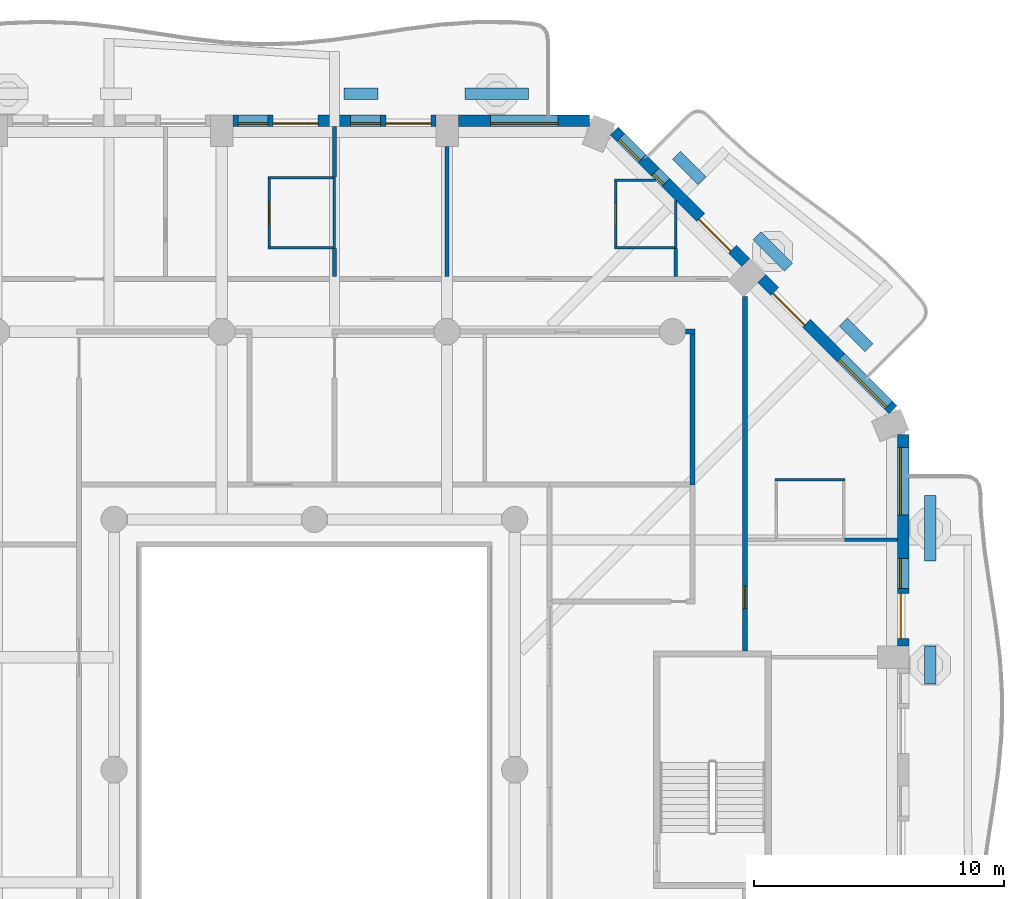
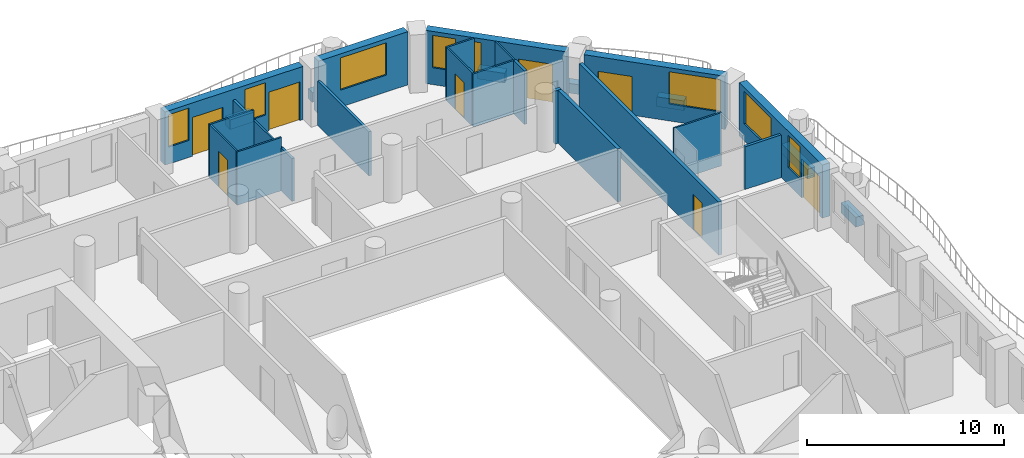
# One storey, part 9 of 19: 29 walls, 8 doors, 8 windows, 16 openings.
"""IFC4 building model written with IfcOpenShell, lengths in metres."""

import ifcopenshell
import ifcopenshell.guid

model = None  # the IFC model being written
_history = None  # IfcOwnerHistory: only IFC2X3 demands one
_inside = {}  # id of a spatial element -> (the spatial element, [elements in it])
_under = {}  # id of a project, library or spatial element -> (it, [spatial elements below it])
_declared = {}  # id of a project -> (the project, [libraries it declares])
_typed = {}  # id of a type object -> (the type object, [elements of that type])
_made_of = {}  # id of a material, layer set ... -> (it, [elements and type objects made of it])


def new_model(schema):
    """Start an empty IFC model of exactly this schema.

    Asked for "IFC4X3", IfcOpenShell would pick the latest addendum, in which some entities
    have other attributes; the version numbers below select the first issue.
    IFC2X3 requires an IfcOwnerHistory on every rooted entity: one is made here for all.
    """
    global model, _history
    if schema == "IFC4X3":
        model = ifcopenshell.file(schema_version=(4, 3, 0, 0))
    else:
        model = ifcopenshell.file(schema=schema)
    _inside.clear()
    _under.clear()
    _declared.clear()
    _typed.clear()
    _made_of.clear()
    _history = None
    if model.schema == "IFC2X3":
        org = make("IfcOrganization", Name="unknown")
        user = make(
            "IfcPersonAndOrganization",
            ThePerson=make("IfcPerson", FamilyName="unknown"),
            TheOrganization=org,
        )
        app = make(
            "IfcApplication",
            ApplicationDeveloper=org,
            Version="unknown",
            ApplicationFullName="unknown",
            ApplicationIdentifier="unknown",
        )
        _history = make(
            "IfcOwnerHistory",
            OwningUser=user,
            OwningApplication=app,
            ChangeAction="ADDED",
            CreationDate=0,
        )
    return model


def make(cls, **values):
    """One entity of the class cls with the attributes given. An attribute that is None is left unset."""
    return model.create_entity(
        cls, **{name: value for name, value in values.items() if value is not None}
    )


def rooted(cls, **values):
    """An entity with a GlobalId (a new one), such as an element, a storey or a relation."""
    return make(cls, GlobalId=ifcopenshell.guid.new(), OwnerHistory=_history, **values)


def si_unit(unit_type, name, prefix=None):
    """IfcSIUnit, for example si_unit("LENGTHUNIT", "METRE", prefix="MILLI")."""
    return make("IfcSIUnit", UnitType=unit_type, Prefix=prefix, Name=name)


def assignment(units):
    """IfcUnitAssignment: the units of a project."""
    return None if units is None else make("IfcUnitAssignment", Units=units)


def point(xyz):
    """IfcCartesianPoint."""
    return None if xyz is None else make("IfcCartesianPoint", Coordinates=xyz)


def direction(xyz):
    """IfcDirection."""
    return None if xyz is None else make("IfcDirection", DirectionRatios=xyz)


def frame(location, z_axis=None, x_axis=None):
    """IfcAxis2Placement3D, a coordinate frame: its origin and axes. An axis left out is left unset."""
    return make(
        "IfcAxis2Placement3D",
        Location=point(location),
        Axis=direction(z_axis),
        RefDirection=direction(x_axis),
    )


def frame_2d(location, x_axis=None):
    """IfcAxis2Placement2D, a coordinate frame in the plane: its origin and x axis."""
    return make(
        "IfcAxis2Placement2D", Location=point(location), RefDirection=direction(x_axis)
    )


def origin():
    """The frame at (0, 0, 0) with its axes left unset."""
    return frame((0.0, 0.0, 0.0))


def place(relative_to, where):
    """IfcLocalPlacement: puts the frame where relative to a parent placement (None: the world)."""
    return make(
        "IfcLocalPlacement", PlacementRelTo=relative_to, RelativePlacement=where
    )


def context(
    kind, dimensions, precision=None, world=None, true_north=None, identifier=None
):
    """IfcGeometricRepresentationContext, for example the 3D "Model" context."""
    return make(
        "IfcGeometricRepresentationContext",
        ContextIdentifier=identifier,
        ContextType=kind,
        CoordinateSpaceDimension=dimensions,
        Precision=precision,
        WorldCoordinateSystem=world,
        TrueNorth=true_north,
    )


def subcontext(parent, identifier, kind, view, scale=None):
    """IfcGeometricRepresentationSubContext, for example "Body" below "Model"."""
    return make(
        "IfcGeometricRepresentationSubContext",
        ContextIdentifier=identifier,
        ContextType=kind,
        ParentContext=parent,
        TargetScale=scale,
        TargetView=view,
    )


def project(units=None, contexts=None):
    """IfcProject with its units and contexts."""
    return rooted(
        "IfcProject",
        Name="project",
        RepresentationContexts=contexts,
        UnitsInContext=assignment(units),
    )


def spatial(cls, under=None, at=None, **own):
    """A site, building, storey or space (cls), placed at a placement, below another one or the project."""
    s = rooted(cls, ObjectPlacement=at, **own)
    if under is not None:
        _under.setdefault(under.id(), (under, []))[1].append(s)
    return s


def profile(cls, at=None, kind="AREA", **sizes):
    """A parametric profile (cls). Its sizes go by their IFC names, for example OverallWidth=200.0."""
    return make(cls, ProfileType=kind, Position=at, **sizes)


def rectangle(**sizes):
    """IfcRectangleProfileDef."""
    return profile("IfcRectangleProfileDef", **sizes)


def extrude(swept, where, along, depth):
    """IfcExtrudedAreaSolid: the profile swept, set in the frame where, extruded along a direction by depth."""
    return make(
        "IfcExtrudedAreaSolid",
        SweptArea=swept,
        Position=where,
        ExtrudedDirection=direction(along),
        Depth=depth,
    )


def shape(context_of_items, identifier, shape_type, items):
    """IfcShapeRepresentation: the items that make up one representation, for example the "Body"."""
    return make(
        "IfcShapeRepresentation",
        ContextOfItems=context_of_items,
        RepresentationIdentifier=identifier,
        RepresentationType=shape_type,
        Items=items,
    )


def material(Name=None, Category=None):
    """IfcMaterial."""
    return make("IfcMaterial", Name=Name, Category=Category)


def layer(
    of_material, thickness, ventilated=None, Name=None, Category=None, Priority=None
):
    """IfcMaterialLayer: one layer of a wall or slab, of a material (None: an air gap)."""
    return make(
        "IfcMaterialLayer",
        Material=of_material,
        LayerThickness=thickness,
        IsVentilated=ventilated,
        Name=Name,
        Category=Category,
        Priority=Priority,
    )


def layer_set(layers, Name=None):
    """IfcMaterialLayerSet."""
    return make("IfcMaterialLayerSet", MaterialLayers=layers, LayerSetName=Name)


def made_of(thing, what):
    """Note that an element or type object is made of a material, layer set ...; save() writes the relation."""
    if what is not None:
        _made_of.setdefault(what.id(), (what, []))[1].append(thing)
    return thing


def type_object(cls, material=None, **own):
    """A type object (cls), such as IfcWallType, which elements share."""
    return made_of(rooted(cls, **own), material)


def element(
    cls,
    number,
    at=None,
    inside=None,
    cuts=None,
    type_object=None,
    material=None,
    context=None,
    identifier="Body",
    shape_type=None,
    held_by="IfcProductDefinitionShape",
    body=None,
    shapes=None,
    **own,
):
    """One element of the class cls, such as IfcWall. Its Tag is "e" and its number.

    at: its placement. inside: the storey or other place that contains it. cuts: it is an
    opening in that element (IfcRelVoidsElement). A single representation is given by context,
    identifier, shape_type and body (its items); several are given by shapes. held_by: the class
    of the entity that holds the representations. save() writes the other relations.
    """
    e = rooted(cls, Tag="e%d" % number, ObjectPlacement=at, **own)
    if body is not None:
        shapes = [shape(context, identifier, shape_type, body)]
    if shapes is not None:
        e.Representation = make(held_by, Representations=shapes)
    if inside is not None:
        _inside.setdefault(inside.id(), (inside, []))[1].append(e)
    if cuts is not None:
        rooted(
            "IfcRelVoidsElement", RelatingBuildingElement=cuts, RelatedOpeningElement=e
        )
    if type_object is not None:
        _typed.setdefault(type_object.id(), (type_object, []))[1].append(e)
    return made_of(e, material)


def fill(opening, filler):
    """IfcRelFillsElement: the door or window that sits in an opening."""
    return rooted(
        "IfcRelFillsElement",
        RelatingOpeningElement=opening,
        RelatedBuildingElement=filler,
    )


def aggregate(whole, parts):
    """IfcRelAggregates: a whole, such as a stair, and the parts it consists of."""
    return rooted("IfcRelAggregates", RelatingObject=whole, RelatedObjects=parts)


def save(model, path):
    """Write the relations noted so far, then the file.

    IfcRelAggregates (storeys below a building ...), IfcRelContainedInSpatialStructure (elements
    in a storey), IfcRelDefinesByType, IfcRelAssociatesMaterial and IfcRelDeclares: one each for
    every whole, place, type object, material and project.
    """
    for whole, parts in _under.values():
        aggregate(whole, parts)
    for where, things in _inside.values():
        rooted(
            "IfcRelContainedInSpatialStructure",
            RelatedElements=things,
            RelatingStructure=where,
        )
    for kind, things in _typed.values():
        rooted("IfcRelDefinesByType", RelatedObjects=things, RelatingType=kind)
    for what, things in _made_of.values():
        rooted("IfcRelAssociatesMaterial", RelatedObjects=things, RelatingMaterial=what)
    for by, libraries in _declared.values():
        rooted("IfcRelDeclares", RelatingContext=by, RelatedDefinitions=libraries)
    model.write(path)


model = new_model("IFC4")

# Units and contexts
model_context = context("Model", 3, precision=1e-05, world=origin(), true_north=direction((0.0, 1.0)))
body_context = subcontext(model_context, "Body", "Model", "MODEL_VIEW")
ifc_project = project(units=[si_unit("LENGTHUNIT", "METRE"), si_unit("AREAUNIT", "SQUARE_METRE"), si_unit("VOLUMEUNIT", "CUBIC_METRE"), si_unit("PLANEANGLEUNIT", "RADIAN"), si_unit("MASSUNIT", "GRAM", prefix="KILO")], contexts=[model_context])

# Site, building, storey
site_placement = place(None, origin())
site = spatial("IfcSite", under=ifc_project, at=site_placement, CompositionType="ELEMENT")
building_placement = place(site_placement, origin())
building = spatial("IfcBuilding", under=site, at=building_placement, Name="Cypress Arch Tower", CompositionType="ELEMENT")
storey_placement = place(building_placement, frame((0.0, 0.0, 138.300048828125)))
storey = spatial("IfcBuildingStorey", under=building, at=storey_placement, Name="L30", CompositionType="ELEMENT", Elevation=138.300048828125)

# Walls
ifc_material_1 = material(Name="Concrete C40/50, waterproofed", Category="concrete")
ifc_layer_1 = layer(ifc_material_1, 0.449951171875)
ifc_layer_set_1 = layer_set([ifc_layer_1], Name="Balcony planter wall PW450")
wall_type_1 = type_object("IfcWallType", Name="Balcony planter wall PW450", PredefinedType="SOLIDWALL", material=ifc_layer_set_1)
wall_1_placement = place(storey_placement, frame((25.60009765625, 3.42138671875, 0.0), z_axis=(0.0, 0.0, 1.0), x_axis=(0.0, 1.0, 0.0)))
element("IfcWall", 1, at=wall_1_placement, inside=storey, type_object=wall_type_1, Name="Balcony planter wall L30-A06.3", PredefinedType="SOLIDWALL", context=body_context, shape_type="SweptSolid", body=[
    extrude(rectangle(XDim=1.5224609375, YDim=0.449951171875, at=frame_2d((0.76123046875, 0.0))), origin(), (0.0, 0.0, 1.0), 0.599853515625),
])
wall_2_placement = place(storey_placement, frame((25.60009765625, 8.335693359375, 0.0), z_axis=(0.0, 0.0, 1.0), x_axis=(0.0, 1.0, 0.0)))
element("IfcWall", 2, at=wall_2_placement, inside=storey, type_object=wall_type_1, Name="Balcony planter wall L30-A06.4", PredefinedType="SOLIDWALL", context=body_context, shape_type="SweptSolid", body=[
    extrude(rectangle(XDim=2.6142578125, YDim=0.449951171875, at=frame_2d((1.30712890625, 0.0))), origin(), (0.0, 0.0, 1.0), 0.599853515625),
])
wall_3_placement = place(storey_placement, frame((23.150390625, 16.86376953125, 0.0), z_axis=(0.0, 0.0, 1.0), x_axis=(-0.707106781187, 0.707106781187, 0.0)))
element("IfcWall", 3, at=wall_3_placement, inside=storey, type_object=wall_type_1, Name="Balcony planter wall L30-A07.1", PredefinedType="SOLIDWALL", context=body_context, shape_type="SweptSolid", body=[
    extrude(rectangle(XDim=1.44482421875, YDim=0.449951171875, at=frame_2d((0.722412109375, 0.0))), origin(), (0.0, 0.0, 1.0), 0.599853515625),
])
wall_4_placement = place(storey_placement, frame((19.9365234375, 20.07763671875, 0.0), z_axis=(0.0, 0.0, 1.0), x_axis=(-0.707106781187, 0.707106781187, 0.0)))
element("IfcWall", 4, at=wall_4_placement, inside=storey, type_object=wall_type_1, Name="Balcony planter wall L30-A07.2", PredefinedType="SOLIDWALL", context=body_context, shape_type="SweptSolid", body=[
    extrude(rectangle(XDim=1.780517578125, YDim=0.449951171875, at=frame_2d((0.89013671875, 0.0))), origin(), (0.0, 0.0, 1.0), 0.599853515625),
])
wall_5_placement = place(storey_placement, frame((16.485595703125, 23.528564453125, 0.0), z_axis=(0.0, 0.0, 1.0), x_axis=(-0.707022305137, 0.707191247145, 0.0)))
element("IfcWall", 5, at=wall_5_placement, inside=storey, type_object=wall_type_1, Name="Balcony planter wall L30-A07.3", PredefinedType="SOLIDWALL", context=body_context, shape_type="SweptSolid", body=[
    extrude(rectangle(XDim=1.445068359375, YDim=0.449951171875, at=frame_2d((0.72265625, 0.0))), origin(), (0.0, 0.0, 1.0), 0.599853515625),
])
wall_6_placement = place(storey_placement, frame((9.550048828125, 27.0, 0.0), z_axis=(0.0, 0.0, 1.0), x_axis=(-1.0, 0.0, 0.0)))
element("IfcWall", 6, at=wall_6_placement, inside=storey, type_object=wall_type_1, Name="Balcony planter wall L30-A08.1", PredefinedType="SOLIDWALL", context=body_context, shape_type="SweptSolid", body=[
    extrude(rectangle(XDim=2.53759765625, YDim=0.449951171875, at=frame_2d((1.268798828125, 0.0))), origin(), (0.0, 0.0, 1.0), 0.599853515625),
])
wall_7_placement = place(storey_placement, frame((3.550048828125, 27.0, 0.0), z_axis=(0.0, 0.0, 1.0), x_axis=(-1.0, 0.0, 0.0)))
element("IfcWall", 7, at=wall_7_placement, inside=storey, type_object=wall_type_1, Name="Balcony planter wall L30-A08.2", PredefinedType="SOLIDWALL", context=body_context, shape_type="SweptSolid", body=[
    extrude(rectangle(XDim=1.375, YDim=0.449951171875, at=frame_2d((0.6875, 0.0))), origin(), (0.0, 0.0, 1.0), 0.599853515625),
])

# Wall, openings, door, windows
ifc_material_2 = material(Name="Brick (red buff blend)", Category="masonry")
ifc_layer_2 = layer(ifc_material_2, 0.449951171875)
ifc_layer_set_2 = layer_set([ifc_layer_2], Name="Brick pier and spandrel wall BW450")
wall_type_2 = type_object("IfcWallType", Name="Brick pier and spandrel wall BW450", PredefinedType="SOLIDWALL", material=ifc_layer_set_2)
wall_8_placement = place(storey_placement, frame((24.52490234375, 4.949951171875, 0.0), z_axis=(0.0, 0.0, 1.0), x_axis=(0.0, 1.0, 0.0)))
wall_8 = element("IfcWall", 8, at=wall_8_placement, inside=storey, type_object=wall_type_2, Name="Brick wall L30 A06.3", PredefinedType="SOLIDWALL", context=body_context, shape_type="SweptSolid", body=[
    extrude(rectangle(XDim=8.438720703125, YDim=0.449951171875, at=frame_2d((4.21923828125, 0.0))), origin(), (0.0, 0.0, 1.0), 3.300048828125),
])
opening_1_placement = place(wall_8_placement, frame((0.2939453125, 0.0, 0.0)))
opening_1 = element("IfcOpeningElement", 9, at=opening_1_placement, cuts=wall_8, Name="Opening D-L30-A06.3.1", PredefinedType="OPENING", context=body_context, shape_type="SweptSolid", body=[
    extrude(rectangle(XDim=1.800048828125, YDim=2.39990234375, at=frame_2d((0.89990234375, 1.199951171875))), frame((0.0, 0.23486328125, 0.0), z_axis=(0.0, -1.0, 0.0), x_axis=(1.0, 0.0, 0.0)), (0.0, 0.0, 1.0), 0.469970703125),
])
opening_2_placement = place(wall_8_placement, frame((2.2939453125, 0.0, 1.050048828125)))
opening_2 = element("IfcOpeningElement", 10, at=opening_2_placement, cuts=wall_8, Name="Opening W120HD", PredefinedType="OPENING", context=body_context, shape_type="SweptSolid", body=[
    extrude(rectangle(XDim=1.199951171875, YDim=2.0, at=frame_2d((0.60009765625, 1.0))), frame((0.0, 0.23486328125, 0.0), z_axis=(0.0, -1.0, 0.0), x_axis=(1.0, 0.0, 0.0)), (0.0, 0.0, 1.0), 0.469970703125),
])
opening_3_placement = place(wall_8_placement, frame((5.231689453125, 0.0, 1.050048828125)))
opening_3 = element("IfcOpeningElement", 11, at=opening_3_placement, cuts=wall_8, Name="Opening W270HD", PredefinedType="OPENING", context=body_context, shape_type="SweptSolid", body=[
    extrude(rectangle(XDim=2.699951171875, YDim=2.0, at=frame_2d((1.35009765625, 1.0))), frame((0.0, 0.23486328125, 0.0), z_axis=(0.0, -1.0, 0.0), x_axis=(1.0, 0.0, 0.0)), (0.0, 0.0, 1.0), 0.469970703125),
])
ifc_material_3 = material(Name="Anodised aluminium, bronze finish, laminated low-emissivity double glazing, large-missile impact rated", Category="aluminium")
door_type_1 = type_object("IfcDoorType", Name="Balcony sliding door 1800x2400", OperationType="SLIDING_TO_LEFT", PredefinedType="DOOR", material=ifc_material_3)
door_1_placement = place(opening_1_placement, origin())
door_1 = element("IfcDoor", 12, at=door_1_placement, inside=storey, type_object=door_type_1, Name="Balcony door L30 A06.3.1", OperationType="SLIDING_TO_LEFT", OverallHeight=2.39990234375, OverallWidth=1.800048828125, PredefinedType="DOOR", context=body_context, shape_type="SweptSolid", body=[
    extrude(rectangle(XDim=1.800048828125, YDim=2.39990234375, at=frame_2d((0.89990234375, 1.199951171875))), frame((0.0, 0.1298828125, 0.0), z_axis=(0.0, -1.0, 0.0), x_axis=(1.0, 0.0, 0.0)), (0.0, 0.0, 1.0), 0.050048828125),
])
fill(opening_1, door_1)
ifc_material_4 = material(Name="Anodised aluminium, bronze finish, laminated low-emissivity double glazing, large-missile impact rated", Category="aluminium")
window_type_1 = type_object("IfcWindowType", Name="Window Hotel 1200x2000 debris-rated", PartitioningType="SINGLE_PANEL", PredefinedType="WINDOW", material=ifc_material_4)
window_1_placement = place(opening_2_placement, origin())
window_1 = element("IfcWindow", 13, at=window_1_placement, inside=storey, type_object=window_type_1, Name="Window L30 A06.3.1", OverallHeight=2.0, OverallWidth=1.199951171875, PartitioningType="SINGLE_PANEL", PredefinedType="WINDOW", context=body_context, shape_type="SweptSolid", body=[
    extrude(rectangle(XDim=1.199951171875, YDim=2.0, at=frame_2d((0.60009765625, 1.0))), frame((0.0, 0.135009765625, 0.0), z_axis=(0.0, -1.0, 0.0), x_axis=(1.0, 0.0, 0.0)), (0.0, 0.0, 1.0), 0.06005859375),
])
fill(opening_2, window_1)
ifc_material_5 = material(Name="Anodised aluminium, bronze finish, laminated low-emissivity double glazing, large-missile impact rated", Category="aluminium")
window_type_2 = type_object("IfcWindowType", Name="Window Hotel 2700x2000 debris-rated", PartitioningType="SINGLE_PANEL", PredefinedType="WINDOW", material=ifc_material_5)
window_2_placement = place(opening_3_placement, origin())
window_2 = element("IfcWindow", 14, at=window_2_placement, inside=storey, type_object=window_type_2, Name="Window L30 A06.3.2", OverallHeight=2.0, OverallWidth=2.699951171875, PartitioningType="SINGLE_PANEL", PredefinedType="WINDOW", context=body_context, shape_type="SweptSolid", body=[
    extrude(rectangle(XDim=2.699951171875, YDim=2.0, at=frame_2d((1.35009765625, 1.0))), frame((0.0, 0.135009765625, 0.0), z_axis=(0.0, -1.0, 0.0), x_axis=(1.0, 0.0, 0.0)), (0.0, 0.0, 1.0), 0.06005859375),
])
fill(opening_3, window_2)

# Wall, openings, door, window
wall_9_placement = place(storey_placement, frame((24.11474609375, 14.379150390625, 0.0), z_axis=(0.0, 0.0, 1.0), x_axis=(-0.707106781187, 0.707106781187, 0.0)))
wall_9 = element("IfcWall", 15, at=wall_9_placement, inside=storey, type_object=wall_type_2, Name="Brick wall L30 A07.0", PredefinedType="SOLIDWALL", context=body_context, shape_type="SweptSolid", body=[
    extrude(rectangle(XDim=7.423828125, YDim=0.449951171875, at=frame_2d((3.7119140625, 0.0))), origin(), (0.0, 0.0, 1.0), 3.300048828125),
])
opening_4_placement = place(wall_9_placement, frame((0.253173828125, 0.0, 1.050048828125)))
opening_4 = element("IfcOpeningElement", 16, at=opening_4_placement, cuts=wall_9, Name="Opening W270HD", PredefinedType="OPENING", context=body_context, shape_type="SweptSolid", body=[
    extrude(rectangle(XDim=2.699951171875, YDim=2.0, at=frame_2d((1.35009765625, 1.0))), frame((0.0, 0.23486328125, 0.0), z_axis=(0.0, -1.0, 0.0), x_axis=(1.0, 0.0, 0.0)), (0.0, 0.0, 1.0), 0.469970703125),
])
opening_5_placement = place(wall_9_placement, frame((4.8837890625, 0.0, 0.0)))
opening_5 = element("IfcOpeningElement", 17, at=opening_5_placement, cuts=wall_9, Name="Opening D-L30-A07.0.2", PredefinedType="OPENING", context=body_context, shape_type="SweptSolid", body=[
    extrude(rectangle(XDim=1.800048828125, YDim=2.39990234375, at=frame_2d((0.89990234375, 1.199951171875))), frame((0.0, 0.23486328125, 0.0), z_axis=(0.0, -1.0, 0.0), x_axis=(1.0, 0.0, 0.0)), (0.0, 0.0, 1.0), 0.469970703125),
])
door_2_placement = place(opening_5_placement, origin())
door_2 = element("IfcDoor", 18, at=door_2_placement, inside=storey, type_object=door_type_1, Name="Balcony door L30 A07.0.2", OperationType="SLIDING_TO_LEFT", OverallHeight=2.39990234375, OverallWidth=1.800048828125, PredefinedType="DOOR", context=body_context, shape_type="SweptSolid", body=[
    extrude(rectangle(XDim=1.800048828125, YDim=2.39990234375, at=frame_2d((0.89990234375, 1.199951171875))), frame((0.0, 0.1298828125, 0.0), z_axis=(0.0, -1.0, 0.0), x_axis=(1.0, 0.0, 0.0)), (0.0, 0.0, 1.0), 0.050048828125),
])
fill(opening_5, door_2)
window_3_placement = place(opening_4_placement, origin())
window_3 = element("IfcWindow", 19, at=window_3_placement, inside=storey, type_object=window_type_2, Name="Window L30 A07.0.1", OverallHeight=2.0, OverallWidth=2.699951171875, PartitioningType="SINGLE_PANEL", PredefinedType="WINDOW", context=body_context, shape_type="SweptSolid", body=[
    extrude(rectangle(XDim=2.699951171875, YDim=2.0, at=frame_2d((1.35009765625, 1.0))), frame((0.0, 0.135009765625, 0.0), z_axis=(0.0, -1.0, 0.0), x_axis=(1.0, 0.0, 0.0)), (0.0, 0.0, 1.0), 0.06005859375),
])
fill(opening_4, window_3)

# Wall, openings, door, windows
wall_10_placement = place(storey_placement, frame((18.228759765625, 20.26513671875, 0.0), z_axis=(0.0, 0.0, 1.0), x_axis=(-0.707106781187, 0.707106781187, 0.0)))
wall_10 = element("IfcWall", 20, at=wall_10_placement, inside=storey, type_object=wall_type_2, Name="Brick wall L30 A07.1", PredefinedType="SOLIDWALL", context=body_context, shape_type="SweptSolid", body=[
    extrude(rectangle(XDim=7.423828125, YDim=0.449951171875, at=frame_2d((3.7119140625, 0.0))), origin(), (0.0, 0.0, 1.0), 3.300048828125),
])
opening_6_placement = place(wall_10_placement, frame((0.740234375, 0.0, 0.0)))
opening_6 = element("IfcOpeningElement", 21, at=opening_6_placement, cuts=wall_10, Name="Opening D-L30-A07.1.1", PredefinedType="OPENING", context=body_context, shape_type="SweptSolid", body=[
    extrude(rectangle(XDim=1.800048828125, YDim=2.39990234375, at=frame_2d((0.89990234375, 1.199951171875))), frame((0.0, 0.23486328125, 0.0), z_axis=(0.0, -1.0, 0.0), x_axis=(1.0, 0.0, 0.0)), (0.0, 0.0, 1.0), 0.469970703125),
])
opening_7_placement = place(wall_10_placement, frame((4.510498046875, 0.0, 1.050048828125)))
opening_7 = element("IfcOpeningElement", 22, at=opening_7_placement, cuts=wall_10, Name="Opening W060HD", PredefinedType="OPENING", context=body_context, shape_type="SweptSolid", body=[
    extrude(rectangle(XDim=0.60009765625, YDim=2.0, at=frame_2d((0.300048828125, 1.0))), frame((0.0, 0.23486328125, 0.0), z_axis=(0.0, -1.0, 0.0), x_axis=(1.0, 0.0, 0.0)), (0.0, 0.0, 1.0), 0.469970703125),
])
opening_8_placement = place(wall_10_placement, frame((5.860595703125, 0.0, 1.050048828125)))
opening_8 = element("IfcOpeningElement", 23, at=opening_8_placement, cuts=wall_10, Name="Opening W120HD", PredefinedType="OPENING", context=body_context, shape_type="SweptSolid", body=[
    extrude(rectangle(XDim=1.199951171875, YDim=2.0, at=frame_2d((0.60009765625, 1.0))), frame((0.0, 0.23486328125, 0.0), z_axis=(0.0, -1.0, 0.0), x_axis=(1.0, 0.0, 0.0)), (0.0, 0.0, 1.0), 0.469970703125),
])
door_3_placement = place(opening_6_placement, origin())
door_3 = element("IfcDoor", 24, at=door_3_placement, inside=storey, type_object=door_type_1, Name="Balcony door L30 A07.1.1", OperationType="SLIDING_TO_LEFT", OverallHeight=2.39990234375, OverallWidth=1.800048828125, PredefinedType="DOOR", context=body_context, shape_type="SweptSolid", body=[
    extrude(rectangle(XDim=1.800048828125, YDim=2.39990234375, at=frame_2d((0.89990234375, 1.199951171875))), frame((0.0, 0.1298828125, 0.0), z_axis=(0.0, -1.0, 0.0), x_axis=(1.0, 0.0, 0.0)), (0.0, 0.0, 1.0), 0.050048828125),
])
fill(opening_6, door_3)
window_4_placement = place(opening_8_placement, origin())
window_4 = element("IfcWindow", 25, at=window_4_placement, inside=storey, type_object=window_type_1, Name="Window L30 A07.1.2b", OverallHeight=2.0, OverallWidth=1.199951171875, PartitioningType="SINGLE_PANEL", PredefinedType="WINDOW", context=body_context, shape_type="SweptSolid", body=[
    extrude(rectangle(XDim=1.199951171875, YDim=2.0, at=frame_2d((0.60009765625, 1.0))), frame((0.0, 0.135009765625, 0.0), z_axis=(0.0, -1.0, 0.0), x_axis=(1.0, 0.0, 0.0)), (0.0, 0.0, 1.0), 0.06005859375),
])
fill(opening_8, window_4)
ifc_material_6 = material(Name="Anodised aluminium, bronze finish, laminated low-emissivity double glazing, large-missile impact rated", Category="aluminium")
window_type_3 = type_object("IfcWindowType", Name="Window Hotel 600x2000 debris-rated", PartitioningType="SINGLE_PANEL", PredefinedType="WINDOW", material=ifc_material_6)
window_5_placement = place(opening_7_placement, origin())
window_5 = element("IfcWindow", 26, at=window_5_placement, inside=storey, type_object=window_type_3, Name="Window L30 A07.1.2", OverallHeight=2.0, OverallWidth=0.60009765625, PartitioningType="SINGLE_PANEL", PredefinedType="WINDOW", context=body_context, shape_type="SweptSolid", body=[
    extrude(rectangle(XDim=0.60009765625, YDim=2.0, at=frame_2d((0.300048828125, 1.0))), frame((0.0, 0.135009765625, 0.0), z_axis=(0.0, -1.0, 0.0), x_axis=(1.0, 0.0, 0.0)), (0.0, 0.0, 1.0), 0.06005859375),
])
fill(opening_7, window_5)

# Wall, opening, window
wall_11_placement = place(storey_placement, frame((11.98876953125, 25.925048828125, 0.0), z_axis=(0.0, 0.0, 1.0), x_axis=(-1.0, 0.0, 0.0)))
wall_11 = element("IfcWall", 27, at=wall_11_placement, inside=storey, type_object=wall_type_2, Name="Brick wall L30 A08.0", PredefinedType="SOLIDWALL", context=body_context, shape_type="SweptSolid", body=[
    extrude(rectangle(XDim=5.23876953125, YDim=0.449951171875, at=frame_2d((2.619384765625, 0.0))), origin(), (0.0, 0.0, 1.0), 3.300048828125),
])
opening_9_placement = place(wall_11_placement, frame((1.250732421875, 0.0, 1.050048828125)))
opening_9 = element("IfcOpeningElement", 28, at=opening_9_placement, cuts=wall_11, Name="Opening W270HD", PredefinedType="OPENING", context=body_context, shape_type="SweptSolid", body=[
    extrude(rectangle(XDim=2.699951171875, YDim=2.0, at=frame_2d((1.35009765625, 1.0))), frame((0.0, 0.23486328125, 0.0), z_axis=(0.0, -1.0, 0.0), x_axis=(1.0, 0.0, 0.0)), (0.0, 0.0, 1.0), 0.469970703125),
])
window_6_placement = place(opening_9_placement, origin())
window_6 = element("IfcWindow", 29, at=window_6_placement, inside=storey, type_object=window_type_2, Name="Window L30 A08.0.1", OverallHeight=2.0, OverallWidth=2.699951171875, PartitioningType="SINGLE_PANEL", PredefinedType="WINDOW", context=body_context, shape_type="SweptSolid", body=[
    extrude(rectangle(XDim=2.699951171875, YDim=2.0, at=frame_2d((1.35009765625, 1.0))), frame((0.0, 0.135009765625, 0.0), z_axis=(0.0, -1.0, 0.0), x_axis=(1.0, 0.0, 0.0)), (0.0, 0.0, 1.0), 0.06005859375),
])
fill(opening_9, window_6)

# Wall, openings, doors, windows
wall_12_placement = place(storey_placement, frame((5.85009765625, 25.925048828125, 0.0), z_axis=(0.0, 0.0, 1.0), x_axis=(-1.0, 0.0, 0.0)))
wall_12 = element("IfcWall", 30, at=wall_12_placement, inside=storey, type_object=wall_type_2, Name="Brick wall L30 A08.1", PredefinedType="SOLIDWALL", context=body_context, shape_type="SweptSolid", body=[
    extrude(rectangle(XDim=8.10009765625, YDim=0.449951171875, at=frame_2d((4.050048828125, 0.0))), origin(), (0.0, 0.0, 1.0), 3.300048828125),
])
opening_10_placement = place(wall_12_placement, frame((0.199951171875, 0.0, 0.0)))
opening_10 = element("IfcOpeningElement", 31, at=opening_10_placement, cuts=wall_12, Name="Opening D-L30-A08.1.1", PredefinedType="OPENING", context=body_context, shape_type="SweptSolid", body=[
    extrude(rectangle(XDim=1.800048828125, YDim=2.39990234375, at=frame_2d((0.89990234375, 1.199951171875))), frame((0.0, 0.23486328125, 0.0), z_axis=(0.0, -1.0, 0.0), x_axis=(1.0, 0.0, 0.0)), (0.0, 0.0, 1.0), 0.469970703125),
])
opening_11_placement = place(wall_12_placement, frame((2.199951171875, 0.0, 1.050048828125)))
opening_11 = element("IfcOpeningElement", 32, at=opening_11_placement, cuts=wall_12, Name="Opening W120HD", PredefinedType="OPENING", context=body_context, shape_type="SweptSolid", body=[
    extrude(rectangle(XDim=1.199951171875, YDim=2.0, at=frame_2d((0.60009765625, 1.0))), frame((0.0, 0.23486328125, 0.0), z_axis=(0.0, -1.0, 0.0), x_axis=(1.0, 0.0, 0.0)), (0.0, 0.0, 1.0), 0.469970703125),
])
opening_12_placement = place(wall_12_placement, frame((4.699951171875, 0.0, 0.0)))
opening_12 = element("IfcOpeningElement", 33, at=opening_12_placement, cuts=wall_12, Name="Opening D-L30-A08.1.2", PredefinedType="OPENING", context=body_context, shape_type="SweptSolid", body=[
    extrude(rectangle(XDim=1.800048828125, YDim=2.39990234375, at=frame_2d((0.89990234375, 1.199951171875))), frame((0.0, 0.23486328125, 0.0), z_axis=(0.0, -1.0, 0.0), x_axis=(1.0, 0.0, 0.0)), (0.0, 0.0, 1.0), 0.469970703125),
])
opening_13_placement = place(wall_12_placement, frame((6.699951171875, 0.0, 1.050048828125)))
opening_13 = element("IfcOpeningElement", 34, at=opening_13_placement, cuts=wall_12, Name="Opening W120HD", PredefinedType="OPENING", context=body_context, shape_type="SweptSolid", body=[
    extrude(rectangle(XDim=1.199951171875, YDim=2.0, at=frame_2d((0.60009765625, 1.0))), frame((0.0, 0.23486328125, 0.0), z_axis=(0.0, -1.0, 0.0), x_axis=(1.0, 0.0, 0.0)), (0.0, 0.0, 1.0), 0.469970703125),
])
door_4_placement = place(opening_10_placement, origin())
door_4 = element("IfcDoor", 35, at=door_4_placement, inside=storey, type_object=door_type_1, Name="Balcony door L30 A08.1.1", OperationType="SLIDING_TO_LEFT", OverallHeight=2.39990234375, OverallWidth=1.800048828125, PredefinedType="DOOR", context=body_context, shape_type="SweptSolid", body=[
    extrude(rectangle(XDim=1.800048828125, YDim=2.39990234375, at=frame_2d((0.89990234375, 1.199951171875))), frame((0.0, 0.1298828125, 0.0), z_axis=(0.0, -1.0, 0.0), x_axis=(1.0, 0.0, 0.0)), (0.0, 0.0, 1.0), 0.050048828125),
])
fill(opening_10, door_4)
door_5_placement = place(opening_12_placement, origin())
door_5 = element("IfcDoor", 36, at=door_5_placement, inside=storey, type_object=door_type_1, Name="Balcony door L30 A08.1.2", OperationType="SLIDING_TO_LEFT", OverallHeight=2.39990234375, OverallWidth=1.800048828125, PredefinedType="DOOR", context=body_context, shape_type="SweptSolid", body=[
    extrude(rectangle(XDim=1.800048828125, YDim=2.39990234375, at=frame_2d((0.89990234375, 1.199951171875))), frame((0.0, 0.1298828125, 0.0), z_axis=(0.0, -1.0, 0.0), x_axis=(1.0, 0.0, 0.0)), (0.0, 0.0, 1.0), 0.050048828125),
])
fill(opening_12, door_5)
window_7_placement = place(opening_11_placement, origin())
window_7 = element("IfcWindow", 37, at=window_7_placement, inside=storey, type_object=window_type_1, Name="Window L30 A08.1.1", OverallHeight=2.0, OverallWidth=1.199951171875, PartitioningType="SINGLE_PANEL", PredefinedType="WINDOW", context=body_context, shape_type="SweptSolid", body=[
    extrude(rectangle(XDim=1.199951171875, YDim=2.0, at=frame_2d((0.60009765625, 1.0))), frame((0.0, 0.135009765625, 0.0), z_axis=(0.0, -1.0, 0.0), x_axis=(1.0, 0.0, 0.0)), (0.0, 0.0, 1.0), 0.06005859375),
])
fill(opening_11, window_7)
window_8_placement = place(opening_13_placement, origin())
window_8 = element("IfcWindow", 38, at=window_8_placement, inside=storey, type_object=window_type_1, Name="Window L30 A08.1.2", OverallHeight=2.0, OverallWidth=1.199951171875, PartitioningType="SINGLE_PANEL", PredefinedType="WINDOW", context=body_context, shape_type="SweptSolid", body=[
    extrude(rectangle(XDim=1.199951171875, YDim=2.0, at=frame_2d((0.60009765625, 1.0))), frame((0.0, 0.135009765625, 0.0), z_axis=(0.0, -1.0, 0.0), x_axis=(1.0, 0.0, 0.0)), (0.0, 0.0, 1.0), 0.06005859375),
])
fill(opening_13, window_8)

# Walls
ifc_material_7 = material(Name="Concrete blockwork, plastered, rated", Category="masonry")
ifc_layer_3 = layer(ifc_material_7, 0.199951171875)
ifc_layer_set_3 = layer_set([ifc_layer_3], Name="Corridor wall FW200")
wall_type_3 = type_object("IfcWallType", Name="Corridor wall FW200", PredefinedType="PARTITIONING", material=ifc_layer_set_3)
wall_13_placement = place(storey_placement, frame((15.824951171875, 17.5, 0.0), z_axis=(0.0, 0.0, 1.0), x_axis=(1.0, 0.0, 0.0)))
element("IfcWall", 39, at=wall_13_placement, inside=storey, type_object=wall_type_3, Name="Corridor wall", PredefinedType="PARTITIONING", context=body_context, shape_type="SweptSolid", body=[
    extrude(rectangle(XDim=0.375, YDim=0.199951171875, at=frame_2d((0.1875, 0.0))), origin(), (0.0, 0.0, 1.0), 3.300048828125),
])
wall_14_placement = place(storey_placement, frame((16.10009765625, 11.3798828125, 0.0), z_axis=(0.0, 0.0, 1.0), x_axis=(0.0, 1.0, 0.0)))
element("IfcWall", 40, at=wall_14_placement, inside=storey, type_object=wall_type_3, Name="Corridor wall", PredefinedType="PARTITIONING", context=body_context, shape_type="SweptSolid", body=[
    extrude(rectangle(XDim=6.02001953125, YDim=0.199951171875, at=frame_2d((3.010009765625, 0.0))), origin(), (0.0, 0.0, 1.0), 3.300048828125),
])

# Wall, opening, door
wall_15_placement = place(storey_placement, frame((18.199951171875, 4.75, 0.0), z_axis=(0.0, 0.0, 1.0), x_axis=(0.0, 1.0, 0.0)))
wall_15 = element("IfcWall", 41, at=wall_15_placement, inside=storey, type_object=wall_type_3, Name="Corridor wall", PredefinedType="PARTITIONING", context=body_context, shape_type="SweptSolid", body=[
    extrude(rectangle(XDim=14.16357421875, YDim=0.199951171875, at=frame_2d((7.081787109375, 0.0))), origin(), (0.0, 0.0, 1.0), 3.300048828125),
])
opening_14_placement = place(wall_15_placement, frame((1.699951171875, 0.0, 0.0)))
opening_14 = element("IfcOpeningElement", 42, at=opening_14_placement, cuts=wall_15, Name="Opening D05", PredefinedType="OPENING", context=body_context, shape_type="SweptSolid", body=[
    extrude(rectangle(XDim=0.89990234375, YDim=2.199951171875, at=frame_2d((0.449951171875, 1.10009765625))), frame((0.0, 0.10986328125, 0.0), z_axis=(0.0, -1.0, 0.0), x_axis=(1.0, 0.0, 0.0)), (0.0, 0.0, 1.0), 0.219970703125),
])
ifc_material_8 = material(Name="Timber flush door", Category="wood")
door_type_2 = type_object("IfcDoorType", Name="Service door D05 900x2200", OperationType="SINGLE_SWING_LEFT", PredefinedType="DOOR", material=ifc_material_8)
door_6_placement = place(opening_14_placement, origin())
door_6 = element("IfcDoor", 43, at=door_6_placement, inside=storey, type_object=door_type_2, Name="Service door", OperationType="SINGLE_SWING_RIGHT", OverallHeight=2.199951171875, OverallWidth=0.89990234375, PredefinedType="DOOR", context=body_context, shape_type="SweptSolid", body=[
    extrude(rectangle(XDim=0.89990234375, YDim=2.199951171875, at=frame_2d((0.449951171875, 1.10009765625))), frame((0.0, 0.02490234375, 0.0), z_axis=(0.0, -1.0, 0.0), x_axis=(1.0, 0.0, 0.0)), (0.0, 0.0, 1.0), 0.050048828125),
])
fill(opening_14, door_6)

# Walls
ifc_material_9 = material(Name="Blockwork, plastered both sides", Category="masonry")
ifc_layer_4 = layer(ifc_material_9, 0.14990234375)
ifc_layer_set_4 = layer_set([ifc_layer_4], Name="Partition PW150")
wall_type_4 = type_object("IfcWallType", Name="Partition PW150", PredefinedType="PARTITIONING", material=ifc_layer_set_4)
wall_16_placement = place(storey_placement, frame((1.800048828125, 19.699951171875, 0.0), z_axis=(0.0, 0.0, 1.0), x_axis=(0.0, 1.0, 0.0)))
element("IfcWall", 44, at=wall_16_placement, inside=storey, type_object=wall_type_4, Name="Partition", PredefinedType="PARTITIONING", context=body_context, shape_type="SweptSolid", body=[
    extrude(rectangle(XDim=1.130126953125, YDim=0.14990234375, at=frame_2d((0.56494140625, 0.0))), origin(), (0.0, 0.0, 1.0), 2.64990234375),
])
wall_17_placement = place(storey_placement, frame((1.800048828125, 23.669921875, 0.0), z_axis=(0.0, 0.0, 1.0), x_axis=(0.0, 1.0, 0.0)))
element("IfcWall", 45, at=wall_17_placement, inside=storey, type_object=wall_type_4, Name="Partition", PredefinedType="PARTITIONING", context=body_context, shape_type="SweptSolid", body=[
    extrude(rectangle(XDim=2.030029296875, YDim=0.14990234375, at=frame_2d((1.01513671875, 0.0))), origin(), (0.0, 0.0, 1.0), 2.64990234375),
])
wall_18_placement = place(storey_placement, frame((6.300048828125, 19.699951171875, 0.0), z_axis=(0.0, 0.0, 1.0), x_axis=(0.0, 1.0, 0.0)))
element("IfcWall", 46, at=wall_18_placement, inside=storey, type_object=wall_type_4, Name="Partition", PredefinedType="PARTITIONING", context=body_context, shape_type="SweptSolid", body=[
    extrude(rectangle(XDim=5.199951171875, YDim=0.14990234375, at=frame_2d((2.60009765625, 0.0))), origin(), (0.0, 0.0, 1.0), 2.75),
])
wall_19_placement = place(storey_placement, frame((15.431884765625, 19.699951171875, 0.0), z_axis=(0.0, 0.0, 1.0), x_axis=(0.0, 1.0, 0.0)))
element("IfcWall", 47, at=wall_19_placement, inside=storey, type_object=wall_type_4, Name="Partition", PredefinedType="PARTITIONING", context=body_context, shape_type="SweptSolid", body=[
    extrude(rectangle(XDim=1.130126953125, YDim=0.14990234375, at=frame_2d((0.56494140625, 0.0))), origin(), (0.0, 0.0, 1.0), 3.300048828125),
])
wall_20_placement = place(storey_placement, frame((22.169921875, 9.18994140625, 0.0), z_axis=(0.0, 0.0, 1.0), x_axis=(1.0, 0.0, 0.0)))
element("IfcWall", 48, at=wall_20_placement, inside=storey, type_object=wall_type_4, Name="Partition", PredefinedType="PARTITIONING", context=body_context, shape_type="SweptSolid", body=[
    extrude(rectangle(XDim=2.130126953125, YDim=0.14990234375, at=frame_2d((1.06494140625, 0.0))), origin(), (0.0, 0.0, 1.0), 2.64990234375),
])

# Wall, opening, door
ifc_material_10 = material(Name="Moisture resistant board on steel studs, tiled", Category="steel")
ifc_layer_5 = layer(ifc_material_10, 0.10009765625)
ifc_layer_set_5 = layer_set([ifc_layer_5], Name="Wet wall PW100")
wall_type_5 = type_object("IfcWallType", Name="Wet wall PW100", PredefinedType="PARTITIONING", material=ifc_layer_set_5)
wall_21_placement = place(storey_placement, frame((-0.7958984375, 20.89990234375, 0.0), z_axis=(0.0, 0.0, 1.0), x_axis=(0.0, 1.0, 0.0)))
wall_21 = element("IfcWall", 49, at=wall_21_placement, inside=storey, type_object=wall_type_5, Name="Wet wall", PredefinedType="PARTITIONING", context=body_context, shape_type="SweptSolid", body=[
    extrude(rectangle(XDim=2.7001953125, YDim=0.10009765625, at=frame_2d((1.35009765625, 0.0))), origin(), (0.0, 0.0, 1.0), 3.300048828125),
])
opening_15_placement = place(wall_21_placement, frame((0.89990234375, 0.0, 0.0)))
opening_15 = element("IfcOpeningElement", 50, at=opening_15_placement, cuts=wall_21, Name="Opening D03", PredefinedType="OPENING", context=body_context, shape_type="SweptSolid", body=[
    extrude(rectangle(XDim=0.89990234375, YDim=2.199951171875, at=frame_2d((0.449951171875, 1.10009765625))), frame((0.0, 0.06005859375, 0.0), z_axis=(0.0, -1.0, 0.0), x_axis=(1.0, 0.0, 0.0)), (0.0, 0.0, 1.0), 0.1201171875),
])
ifc_material_11 = material(Name="Timber flush door, moisture resistant", Category="wood")
door_type_3 = type_object("IfcDoorType", Name="Bathroom door D03 900x2200", OperationType="SINGLE_SWING_LEFT", PredefinedType="DOOR", material=ifc_material_11)
door_7_placement = place(opening_15_placement, origin())
door_7 = element("IfcDoor", 51, at=door_7_placement, inside=storey, type_object=door_type_3, Name="Bathroom door", OperationType="SINGLE_SWING_LEFT", OverallHeight=2.199951171875, OverallWidth=0.89990234375, PredefinedType="DOOR", context=body_context, shape_type="SweptSolid", body=[
    extrude(rectangle(XDim=0.89990234375, YDim=2.199951171875, at=frame_2d((0.449951171875, 1.10009765625))), frame((0.0, 0.02490234375, 0.0), z_axis=(0.0, -1.0, 0.0), x_axis=(1.0, 0.0, 0.0)), (0.0, 0.0, 1.0), 0.050048828125),
])
fill(opening_15, door_7)

# Walls
for number, where, z_axis, x_axis, name in (
    (52, (-0.845947265625, 20.85009765625, 0.0), (0.0, 0.0, 1.0), (1.0, 0.0, 0.0), "Wet wall"),
    (53, (-0.845947265625, 23.64990234375, 0.0), (0.0, 0.0, 1.0), (1.0, 0.0, 0.0), "Wet wall"),
):
    element("IfcWall", number, at=place(storey_placement, frame(where, z_axis=z_axis, x_axis=x_axis)), inside=storey, type_object=wall_type_5, Name=name, PredefinedType="PARTITIONING", context=body_context, shape_type="SweptSolid", body=[
        extrude(rectangle(XDim=2.595947265625, YDim=0.10009765625, at=frame_2d((1.2978515625, 0.0))), origin(), (0.0, 0.0, 1.0), 3.300048828125),
    ])
wall_22_placement = place(storey_placement, frame((1.800048828125, 20.830078125, 0.0), z_axis=(0.0, 0.0, 1.0), x_axis=(0.0, 1.0, 0.0)))
element("IfcWall", 54, at=wall_22_placement, inside=storey, type_object=wall_type_5, Name="Wet wall", PredefinedType="PARTITIONING", context=body_context, shape_type="SweptSolid", body=[
    extrude(rectangle(XDim=2.83984375, YDim=0.10009765625, at=frame_2d((1.419921875, 0.0))), origin(), (0.0, 0.0, 1.0), 2.64990234375),
])

# Wall, opening, door
wall_23_placement = place(storey_placement, frame((13.035888671875, 20.89990234375, 0.0), z_axis=(0.0, 0.0, 1.0), x_axis=(0.0, 1.0, 0.0)))
wall_23 = element("IfcWall", 55, at=wall_23_placement, inside=storey, type_object=wall_type_5, Name="Wet wall", PredefinedType="PARTITIONING", context=body_context, shape_type="SweptSolid", body=[
    extrude(rectangle(XDim=2.60009765625, YDim=0.10009765625, at=frame_2d((1.300048828125, 0.0))), origin(), (0.0, 0.0, 1.0), 3.300048828125),
])
opening_16_placement = place(wall_23_placement, frame((0.85009765625, 0.0, 0.0)))
opening_16 = element("IfcOpeningElement", 56, at=opening_16_placement, cuts=wall_23, Name="Opening D03", PredefinedType="OPENING", context=body_context, shape_type="SweptSolid", body=[
    extrude(rectangle(XDim=0.89990234375, YDim=2.199951171875, at=frame_2d((0.449951171875, 1.10009765625))), frame((0.0, 0.06005859375, 0.0), z_axis=(0.0, -1.0, 0.0), x_axis=(1.0, 0.0, 0.0)), (0.0, 0.0, 1.0), 0.1201171875),
])
door_8_placement = place(opening_16_placement, origin())
door_8 = element("IfcDoor", 57, at=door_8_placement, inside=storey, type_object=door_type_3, Name="Bathroom door", OperationType="SINGLE_SWING_LEFT", OverallHeight=2.199951171875, OverallWidth=0.89990234375, PredefinedType="DOOR", context=body_context, shape_type="SweptSolid", body=[
    extrude(rectangle(XDim=0.89990234375, YDim=2.199951171875, at=frame_2d((0.449951171875, 1.10009765625))), frame((0.0, 0.02490234375, 0.0), z_axis=(0.0, -1.0, 0.0), x_axis=(1.0, 0.0, 0.0)), (0.0, 0.0, 1.0), 0.050048828125),
])
fill(opening_16, door_8)

# Walls
wall_24_placement = place(storey_placement, frame((12.986083984375, 20.85009765625, 0.0), z_axis=(0.0, 0.0, 1.0), x_axis=(1.0, 0.0, 0.0)))
element("IfcWall", 58, at=wall_24_placement, inside=storey, type_object=wall_type_5, Name="Wet wall", PredefinedType="PARTITIONING", context=body_context, shape_type="SweptSolid", body=[
    extrude(rectangle(XDim=2.39599609375, YDim=0.10009765625, at=frame_2d((1.197998046875, 0.0))), origin(), (0.0, 0.0, 1.0), 3.300048828125),
])
wall_25_placement = place(storey_placement, frame((12.986083984375, 23.550048828125, 0.0), z_axis=(0.0, 0.0, 1.0), x_axis=(1.0, 0.0, 0.0)))
element("IfcWall", 59, at=wall_25_placement, inside=storey, type_object=wall_type_5, Name="Wet wall", PredefinedType="PARTITIONING", context=body_context, shape_type="SweptSolid", body=[
    extrude(rectangle(XDim=1.6396484375, YDim=0.10009765625, at=frame_2d((0.81982421875, 0.0))), origin(), (0.0, 0.0, 1.0), 3.300048828125),
])
wall_26_placement = place(storey_placement, frame((15.431884765625, 20.830078125, 0.0), z_axis=(0.0, 0.0, 1.0), x_axis=(0.0, 1.0, 0.0)))
element("IfcWall", 60, at=wall_26_placement, inside=storey, type_object=wall_type_5, Name="Wet wall", PredefinedType="PARTITIONING", context=body_context, shape_type="SweptSolid", body=[
    extrude(rectangle(XDim=1.91357421875, YDim=0.10009765625, at=frame_2d((0.956787109375, 0.0))), origin(), (0.0, 0.0, 1.0), 3.300048828125),
])
wall_27_placement = place(storey_placement, frame((19.39990234375, 11.5859375, 0.0), z_axis=(0.0, 0.0, 1.0), x_axis=(1.0, 0.0, 0.0)))
element("IfcWall", 61, at=wall_27_placement, inside=storey, type_object=wall_type_5, Name="Wet wall", PredefinedType="PARTITIONING", context=body_context, shape_type="SweptSolid", body=[
    extrude(rectangle(XDim=2.800048828125, YDim=0.10009765625, at=frame_2d((1.39990234375, 0.0))), origin(), (0.0, 0.0, 1.0), 3.300048828125),
])

save(model, "model.ifc")
